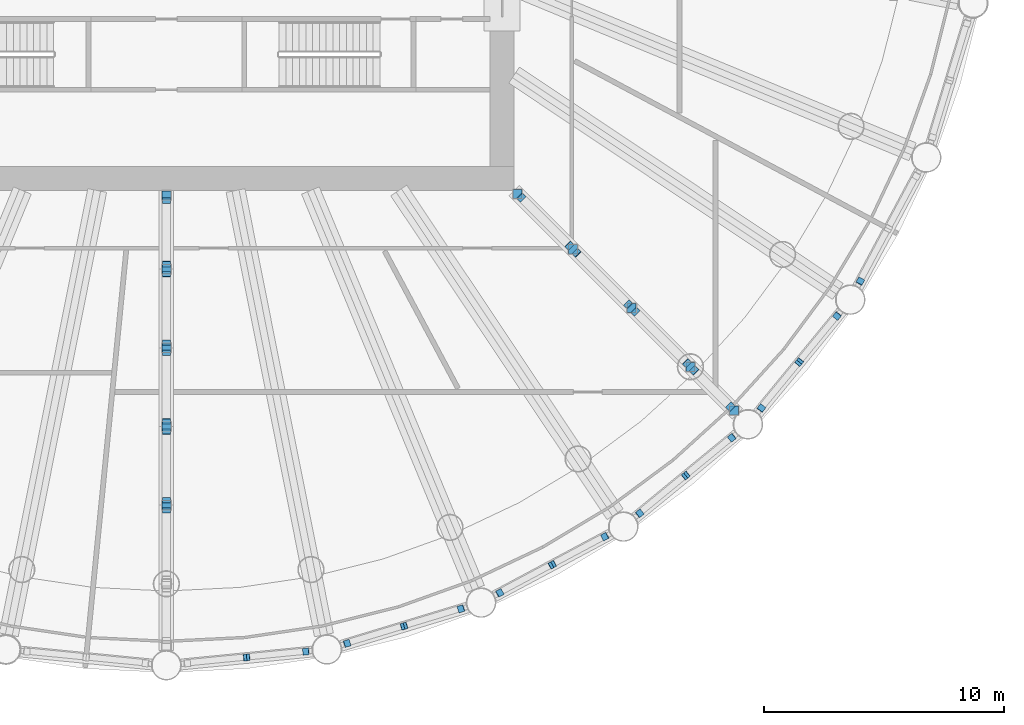
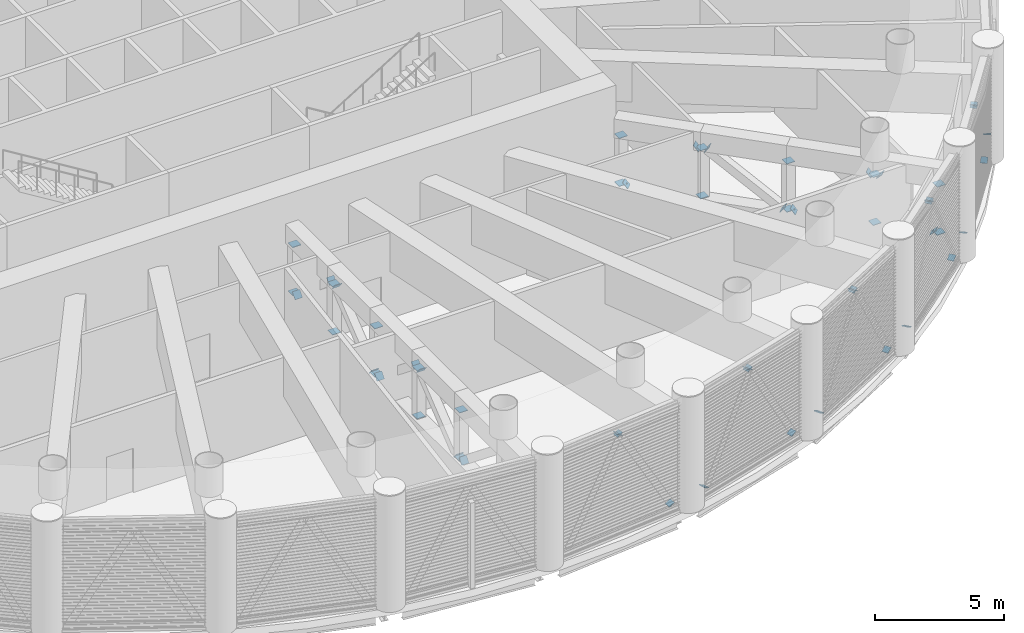
# One storey, part 17 of 29: 57 discrete accessories.
"""IFC4 building model written with IfcOpenShell, lengths in metres."""

from ifc_helpers import new_model, si_unit, direction, frame, origin, origin_2d, place, context, subcontext, project, spatial, rectangle, extrude, material, material_profile, profile_set, type_object, element, save


model = new_model("IFC4")

# Units and contexts
model_context = context("Model", 3, precision=1e-05, world=origin(), true_north=direction((0.0, 1.0)))
body_context = subcontext(model_context, "Body", "Model", "MODEL_VIEW")
ifc_project = project(units=[si_unit("LENGTHUNIT", "METRE"), si_unit("AREAUNIT", "SQUARE_METRE"), si_unit("VOLUMEUNIT", "CUBIC_METRE"), si_unit("PLANEANGLEUNIT", "RADIAN"), si_unit("MASSUNIT", "GRAM", prefix="KILO")], contexts=[model_context])

# Site, building, storey
site_placement = place(None, origin())
site = spatial("IfcSite", under=ifc_project, at=site_placement, CompositionType="ELEMENT")
building_placement = place(site_placement, origin())
building = spatial("IfcBuilding", under=site, at=building_placement, Name="Corvane Civic Tower", CompositionType="ELEMENT")
storey_placement = place(building_placement, frame((0.0, 0.0, 138.5)))
storey = spatial("IfcBuildingStorey", under=building, at=storey_placement, Name="L32", CompositionType="ELEMENT", Elevation=138.5)

# Discrete accessories
ifc_material_1 = material(Name="Steel ASTM A572 Gr 50", Category="steel")
ifc_material_profile_1 = material_profile(ifc_material_1, rectangle(XDim=0.2802734375, YDim=0.2802734375, at=origin_2d()), Name="GUSSET PLATE 25 IN HSS12X12X1/2")
ifc_profile_set_1 = profile_set([ifc_material_profile_1], Name="Steel ASTM A572 Gr 50")
discrete_accessory_type_1 = type_object("IfcDiscreteAccessoryType", Name="GUSSET PLATE 25 IN HSS12X12X1/2", PredefinedType="BRACKET", material=ifc_profile_set_1)
for number, where, z_axis, x_axis, name in (
    (1, (28.931640625, -18.284423828125, 0.406494140625), (0.2359641329, 0.442432749188, 0.865201820635), (-0.882352941176, 0.470588235294, 0.0), "Gusset plate BD1 end A"),
    (2, (27.964111328125, -19.732421875, 0.406494140625), (-0.314269680527, -0.392837100659, 0.86424162145), (0.780868809443, -0.624695047554, 0.0), "Gusset plate BD1 end A"),
):
    element("IfcDiscreteAccessory", number, at=place(storey_placement, frame(where, z_axis=z_axis, x_axis=x_axis)), inside=storey, type_object=discrete_accessory_type_1, Name=name, PredefinedType="BRACKET", context=body_context, shape_type="SweptSolid", body=[
        extrude(rectangle(XDim=0.2802734375, YDim=0.2802734375, at=origin_2d()), origin(), (0.0, 0.0, 1.0), 0.02490234375),
    ])
discrete_accessory_1_placement = place(storey_placement, frame((26.386474609375, -21.655029296875, 4.74365234375), z_axis=(0.311620978032, 0.38952622254, -0.866695845152), x_axis=(-0.780868809443, 0.624695047554, 0.0)))
element("IfcDiscreteAccessory", 3, at=discrete_accessory_1_placement, inside=storey, type_object=discrete_accessory_type_1, Name="Gusset plate BD1 end B", PredefinedType="BRACKET", context=body_context, shape_type="SweptSolid", body=[
    extrude(rectangle(XDim=0.2802734375, YDim=0.2802734375, at=origin_2d()), origin(), (0.0, 0.0, 1.0), 0.025146484375),
])
for number, where, z_axis, x_axis, name in (
    (4, (24.808837890625, -23.577392578125, 0.406494140625), (0.314269680527, 0.392837100659, 0.86424162145), (-0.780868809443, 0.624695047554, 0.0), "Gusset plate BD1 end A"),
    (5, (26.386474609375, -21.655029296875, 4.74365234375), (-0.312794863755, -0.381218740201, -0.869960714819), (0.773073370483, -0.634316611678, 0.0), "Gusset plate BD1 end B"),
    (6, (23.577392578125, -24.808837890625, 0.406494140625), (-0.392837100659, -0.314269680527, 0.86424162145), (0.624695047554, -0.780868809443, 0.0), "Gusset plate BD1 end A"),
    (7, (21.655029296875, -26.386474609375, 4.74365234375), (0.381218740201, 0.312794863755, -0.869960714819), (-0.634316611678, 0.773073370483, 0.0), "Gusset plate BD1 end B"),
    (8, (19.732421875, -27.964111328125, 0.406494140625), (0.392837100659, 0.314269680527, 0.86424162145), (-0.624695047554, 0.780868809443, 0.0), "Gusset plate BD1 end A"),
):
    element("IfcDiscreteAccessory", number, at=place(storey_placement, frame(where, z_axis=z_axis, x_axis=x_axis)), inside=storey, type_object=discrete_accessory_type_1, Name=name, PredefinedType="BRACKET", context=body_context, shape_type="SweptSolid", body=[
        extrude(rectangle(XDim=0.2802734375, YDim=0.2802734375, at=origin_2d()), origin(), (0.0, 0.0, 1.0), 0.02490234375),
    ])
discrete_accessory_2_placement = place(storey_placement, frame((21.655029296875, -26.386474609375, 4.74365234375), z_axis=(-0.38952622254, -0.311620978032, -0.866695845152), x_axis=(0.624695047554, -0.780868809443, 0.0)))
element("IfcDiscreteAccessory", 9, at=discrete_accessory_2_placement, inside=storey, type_object=discrete_accessory_type_1, Name="Gusset plate BD1 end B", PredefinedType="BRACKET", context=body_context, shape_type="SweptSolid", body=[
    extrude(rectangle(XDim=0.2802734375, YDim=0.2802734375, at=origin_2d()), origin(), (0.0, 0.0, 1.0), 0.025146484375),
])
discrete_accessory_3_placement = place(storey_placement, frame((18.284423828125, -28.931640625, 0.406494140625), z_axis=(-0.442432749188, -0.2359641329, 0.865201820635), x_axis=(0.470588235294, -0.882352941176, 0.0)))
element("IfcDiscreteAccessory", 10, at=discrete_accessory_3_placement, inside=storey, type_object=discrete_accessory_type_1, Name="Gusset plate BD1 end A", PredefinedType="BRACKET", context=body_context, shape_type="SweptSolid", body=[
    extrude(rectangle(XDim=0.2802734375, YDim=0.2802734375, at=origin_2d()), origin(), (0.0, 0.0, 1.0), 0.02490234375),
])
discrete_accessory_4_placement = place(storey_placement, frame((16.091064453125, -30.104248046875, 4.74365234375), z_axis=(0.438695687352, 0.233971033255, -0.867642581652), x_axis=(-0.470588235294, 0.882352941176, 0.0)))
element("IfcDiscreteAccessory", 11, at=discrete_accessory_4_placement, inside=storey, type_object=discrete_accessory_type_1, Name="Gusset plate BD1 end B", PredefinedType="BRACKET", context=body_context, shape_type="SweptSolid", body=[
    extrude(rectangle(XDim=0.2802734375, YDim=0.2802734375, at=origin_2d()), origin(), (0.0, 0.0, 1.0), 0.025146484375),
])
discrete_accessory_5_placement = place(storey_placement, frame((13.897705078125, -31.276611328125, 0.406494140625), z_axis=(0.442432749188, 0.2359641329, 0.865201820635), x_axis=(-0.470588235294, 0.882352941176, 0.0)))
element("IfcDiscreteAccessory", 12, at=discrete_accessory_5_placement, inside=storey, type_object=discrete_accessory_type_1, Name="Gusset plate BD1 end A", PredefinedType="BRACKET", context=body_context, shape_type="SweptSolid", body=[
    extrude(rectangle(XDim=0.2802734375, YDim=0.2802734375, at=origin_2d()), origin(), (0.0, 0.0, 1.0), 0.02490234375),
])
discrete_accessory_6_placement = place(storey_placement, frame((16.091064453125, -30.104248046875, 4.74365234375), z_axis=(-0.438695687352, -0.233971033255, -0.867642581652), x_axis=(0.470588235294, -0.882352941176, 0.0)))
element("IfcDiscreteAccessory", 13, at=discrete_accessory_6_placement, inside=storey, type_object=discrete_accessory_type_1, Name="Gusset plate BD1 end B", PredefinedType="BRACKET", context=body_context, shape_type="SweptSolid", body=[
    extrude(rectangle(XDim=0.2802734375, YDim=0.2802734375, at=origin_2d()), origin(), (0.0, 0.0, 1.0), 0.025146484375),
])
discrete_accessory_7_placement = place(storey_placement, frame((12.28857421875, -31.94287109375, 0.406494140625), z_axis=(-0.473579171394, -0.147993491061, 0.868228480888), x_axis=(0.298274993136, -0.954479978035, 0.0)))
element("IfcDiscreteAccessory", 14, at=discrete_accessory_7_placement, inside=storey, type_object=discrete_accessory_type_1, Name="Gusset plate BD1 end A", PredefinedType="BRACKET", context=body_context, shape_type="SweptSolid", body=[
    extrude(rectangle(XDim=0.2802734375, YDim=0.2802734375, at=origin_2d()), origin(), (0.0, 0.0, 1.0), 0.024658203125),
])
discrete_accessory_8_placement = place(storey_placement, frame((9.90869140625, -32.6650390625, 4.74365234375), z_axis=(0.477124378254, 0.146058483139, -0.866613666624), x_axis=(-0.292714272094, 0.956199955507, 0.0)))
element("IfcDiscreteAccessory", 15, at=discrete_accessory_8_placement, inside=storey, type_object=discrete_accessory_type_1, Name="Gusset plate BD1 end B", PredefinedType="BRACKET", context=body_context, shape_type="SweptSolid", body=[
    extrude(rectangle(XDim=0.2802734375, YDim=0.2802734375, at=origin_2d()), origin(), (0.0, 0.0, 1.0), 0.025146484375),
])
discrete_accessory_9_placement = place(storey_placement, frame((7.529052734375, -33.386962890625, 0.406494140625), z_axis=(0.473579171394, 0.147993491061, 0.868228480888), x_axis=(-0.298274993136, 0.954479978035, 0.0)))
element("IfcDiscreteAccessory", 16, at=discrete_accessory_9_placement, inside=storey, type_object=discrete_accessory_type_1, Name="Gusset plate BD1 end A", PredefinedType="BRACKET", context=body_context, shape_type="SweptSolid", body=[
    extrude(rectangle(XDim=0.2802734375, YDim=0.2802734375, at=origin_2d()), origin(), (0.0, 0.0, 1.0), 0.024658203125),
])
discrete_accessory_10_placement = place(storey_placement, frame((9.90869140625, -32.6650390625, 4.74365234375), z_axis=(-0.470204238302, -0.137142902838, -0.871837025185), x_axis=(0.28, -0.96, 0.0)))
element("IfcDiscreteAccessory", 17, at=discrete_accessory_10_placement, inside=storey, type_object=discrete_accessory_type_1, Name="Gusset plate BD1 end B", PredefinedType="BRACKET", context=body_context, shape_type="SweptSolid", body=[
    extrude(rectangle(XDim=0.2802734375, YDim=0.2802734375, at=origin_2d()), origin(), (0.0, 0.0, 1.0), 0.02490234375),
])
discrete_accessory_11_placement = place(storey_placement, frame((5.82080078125, -33.7265625, 0.406494140625), z_axis=(-0.493407705348, -0.049340770535, 0.868397561412), x_axis=(0.099503719021, -0.99503719021, 0.0)))
element("IfcDiscreteAccessory", 18, at=discrete_accessory_11_placement, inside=storey, type_object=discrete_accessory_type_1, Name="Gusset plate BD1 end A", PredefinedType="BRACKET", context=body_context, shape_type="SweptSolid", body=[
    extrude(rectangle(XDim=0.2802734375, YDim=0.2802734375, at=origin_2d()), origin(), (0.0, 0.0, 1.0), 0.024658203125),
])
discrete_accessory_12_placement = place(storey_placement, frame((3.345947265625, -33.970458984375, 4.74365234375), z_axis=(0.489209625642, 0.048920962564, -0.870793133643), x_axis=(-0.099503719021, 0.99503719021, 0.0)))
element("IfcDiscreteAccessory", 19, at=discrete_accessory_12_placement, inside=storey, type_object=discrete_accessory_type_1, Name="Gusset plate BD1 end B", PredefinedType="BRACKET", context=body_context, shape_type="SweptSolid", body=[
    extrude(rectangle(XDim=0.2802734375, YDim=0.2802734375, at=origin_2d()), origin(), (0.0, 0.0, 1.0), 0.02490234375),
])
discrete_accessory_13_placement = place(storey_placement, frame((3.345947265625, -33.970458984375, 4.74365234375), z_axis=(-0.496598842672, -0.048686161046, -0.866613666624), x_axis=(0.097571424031, -0.99522852512, 0.0)))
element("IfcDiscreteAccessory", 20, at=discrete_accessory_13_placement, inside=storey, type_object=discrete_accessory_type_1, Name="Gusset plate BD1 end B", PredefinedType="BRACKET", context=body_context, shape_type="SweptSolid", body=[
    extrude(rectangle(XDim=0.2802734375, YDim=0.2802734375, at=origin_2d()), origin(), (0.0, 0.0, 1.0), 0.025146484375),
])
ifc_material_2 = material(Name="Steel ASTM A572 Gr 50", Category="steel")
ifc_material_profile_2 = material_profile(ifc_material_2, rectangle(XDim=0.3310546875, YDim=0.3310546875, at=origin_2d()), Name="GUSSET PLATE 25 IN HSS14X14X1/2")
ifc_profile_set_2 = profile_set([ifc_material_profile_2], Name="Steel ASTM A572 Gr 50")
discrete_accessory_type_2 = type_object("IfcDiscreteAccessoryType", Name="GUSSET PLATE 25 IN HSS14X14X1/2", PredefinedType="BRACKET", material=ifc_profile_set_2)
for number, where, z_axis, x_axis, name in (
    (21, (14.787353515625, -14.787353515625, 0.89990234375), (0.546582129591, -0.546582129591, 0.634425686132), (0.707106781187, 0.707106781187, 0.0), "Gusset plate OD1 end A"),
    (22, (16.80615234375, -16.80615234375, 3.199951171875), (-0.549971940923, 0.549971940923, -0.628539361055), (-0.707106781187, -0.707106781187, 0.0), "Gusset plate OD1 end B"),
    (23, (17.093505859375, -17.093505859375, 3.199951171875), (0.567401695188, -0.567401695188, -0.596750058732), (0.707106781187, 0.707106781187, 0.0), "Gusset plate OD1 end A"),
):
    element("IfcDiscreteAccessory", number, at=place(storey_placement, frame(where, z_axis=z_axis, x_axis=x_axis)), inside=storey, type_object=discrete_accessory_type_2, Name=name, PredefinedType="BRACKET", context=body_context, shape_type="SweptSolid", body=[
        extrude(rectangle(XDim=0.3310546875, YDim=0.3310546875, at=origin_2d()), origin(), (0.0, 0.0, 1.0), 0.02490234375),
    ])
for number, where, z_axis, x_axis, name in (
    (24, (19.256103515625, -19.256103515625, 0.89990234375), (-0.564091319087, 0.564091319087, 0.602994168679), (-0.707106781187, -0.707106781187, 0.0), "Gusset plate OD1 end B"),
    (25, (19.54345703125, -19.54345703125, 0.89990234375), (0.564091319087, -0.564091319087, 0.602994168679), (0.707106781187, 0.707106781187, 0.0), "Gusset plate OD1 end A"),
):
    element("IfcDiscreteAccessory", number, at=place(storey_placement, frame(where, z_axis=z_axis, x_axis=x_axis)), inside=storey, type_object=discrete_accessory_type_2, Name=name, PredefinedType="BRACKET", context=body_context, shape_type="SweptSolid", body=[
        extrude(rectangle(XDim=0.3310546875, YDim=0.3310546875, at=origin_2d()), origin(), (0.0, 0.0, 1.0), 0.025146484375),
    ])
discrete_accessory_14_placement = place(storey_placement, frame((21.705810546875, -21.705810546875, 3.199951171875), z_axis=(-0.563859180868, 0.563859180868, -0.603428246192), x_axis=(-0.707106781187, -0.707106781187, 0.0)))
element("IfcDiscreteAccessory", 26, at=discrete_accessory_14_placement, inside=storey, type_object=discrete_accessory_type_2, Name="Gusset plate OD1 end B", PredefinedType="BRACKET", context=body_context, shape_type="SweptSolid", body=[
    extrude(rectangle(XDim=0.3310546875, YDim=0.3310546875, at=origin_2d()), origin(), (0.0, 0.0, 1.0), 0.024658203125),
])
for number, where, z_axis, x_axis, name in (
    (27, (21.9931640625, -21.9931640625, 3.199951171875), (0.488508651467, -0.488508651467, -0.722992804171), (0.707106781187, 0.707106781187, 0.0), "Gusset plate OD1 end A"),
    (28, (23.5244140625, -23.5244140625, 0.89990234375), (-0.479862037013, 0.479862037013, 0.734482709713), (-0.707106781187, -0.707106781187, 0.0), "Gusset plate OD1 end B"),
    (29, (0.0, -14.906494140625, 0.89990234375), (0.0, -0.75439456107, 0.656421241451), (1.0, 0.0, 0.0), "Gusset plate OD1 end A"),
):
    element("IfcDiscreteAccessory", number, at=place(storey_placement, frame(where, z_axis=z_axis, x_axis=x_axis)), inside=storey, type_object=discrete_accessory_type_2, Name=name, PredefinedType="BRACKET", context=body_context, shape_type="SweptSolid", body=[
        extrude(rectangle(XDim=0.3310546875, YDim=0.3310546875, at=origin_2d()), origin(), (0.0, 0.0, 1.0), 0.02490234375),
    ])
discrete_accessory_15_placement = place(storey_placement, frame((0.0, -17.576904296875, 3.199951171875), z_axis=(0.0, 0.75856969154, -0.651591914528), x_axis=(-1.0, 0.0, 0.0)))
element("IfcDiscreteAccessory", 30, at=discrete_accessory_15_placement, inside=storey, type_object=discrete_accessory_type_2, Name="Gusset plate OD1 end B", PredefinedType="BRACKET", context=body_context, shape_type="SweptSolid", body=[
    extrude(rectangle(XDim=0.3310546875, YDim=0.3310546875, at=origin_2d()), origin(), (0.0, 0.0, 1.0), 0.025146484375),
])
for number, where, z_axis, x_axis, name in (
    (31, (0.0, -17.983154296875, 3.199951171875), (0.0, -0.780868809443, -0.624695047554), (1.0, 0.0, 0.0), "Gusset plate OD1 end A"),
    (32, (0.0, -20.856689453125, 0.89990234375), (0.0, 0.780868809443, 0.624695047554), (-1.0, 0.0, 0.0), "Gusset plate OD1 end B"),
    (33, (0.0, -21.26318359375, 0.89990234375), (0.0, -0.780868809443, 0.624695047554), (1.0, 0.0, 0.0), "Gusset plate OD1 end A"),
    (34, (0.0, -24.13671875, 3.199951171875), (0.0, 0.780868809443, -0.624695047554), (-1.0, 0.0, 0.0), "Gusset plate OD1 end B"),
    (35, (0.0, -24.543212890625, 3.199951171875), (0.0, -0.780868809443, -0.624695047554), (1.0, 0.0, 0.0), "Gusset plate OD1 end A"),
    (36, (0.0, -27.416748046875, 0.89990234375), (0.0, 0.780868809443, 0.624695047554), (-1.0, 0.0, 0.0), "Gusset plate OD1 end B"),
    (37, (0.0, -27.8232421875, 0.89990234375), (0.0, -0.780868809443, 0.624695047554), (1.0, 0.0, 0.0), "Gusset plate OD1 end A"),
):
    element("IfcDiscreteAccessory", number, at=place(storey_placement, frame(where, z_axis=z_axis, x_axis=x_axis)), inside=storey, type_object=discrete_accessory_type_2, Name=name, PredefinedType="BRACKET", context=body_context, shape_type="SweptSolid", body=[
        extrude(rectangle(XDim=0.3310546875, YDim=0.3310546875, at=origin_2d()), origin(), (0.0, 0.0, 1.0), 0.02490234375),
    ])
ifc_material_3 = material(Name="Steel ASTM A572 Gr 50", Category="steel")
ifc_material_profile_3 = material_profile(ifc_material_3, rectangle(XDim=0.3759765625, YDim=0.3759765625, at=origin_2d()), Name="GUSSET PLATE 25 IN HSS16X16X5/8")
ifc_profile_set_3 = profile_set([ifc_material_profile_3], Name="Steel ASTM A572 Gr 50")
discrete_accessory_type_3 = type_object("IfcDiscreteAccessoryType", Name="GUSSET PLATE 25 IN HSS16X16X5/8", PredefinedType="BRACKET", material=ifc_profile_set_3)
discrete_accessory_16_placement = place(storey_placement, frame((14.643798828125, -14.643798828125, 0.89990234375), z_axis=(0.0, 0.0, 1.0), x_axis=(1.0, 0.0, 0.0)))
element("IfcDiscreteAccessory", 38, at=discrete_accessory_16_placement, inside=storey, type_object=discrete_accessory_type_3, Name="Gusset plate OP1 end A", PredefinedType="BRACKET", context=body_context, shape_type="SweptSolid", body=[
    extrude(rectangle(XDim=0.3759765625, YDim=0.3759765625, at=origin_2d()), origin(), (0.0, 0.0, 1.0), 0.025146484375),
])
discrete_accessory_17_placement = place(storey_placement, frame((14.643798828125, -14.643798828125, 3.199951171875), z_axis=(0.0, 0.0, -1.0), x_axis=(1.0, 0.0, 0.0)))
element("IfcDiscreteAccessory", 39, at=discrete_accessory_17_placement, inside=storey, type_object=discrete_accessory_type_3, Name="Gusset plate OP1 end B", PredefinedType="BRACKET", context=body_context, shape_type="SweptSolid", body=[
    extrude(rectangle(XDim=0.3759765625, YDim=0.3759765625, at=origin_2d()), origin(), (0.0, 0.0, 1.0), 0.02490234375),
])
discrete_accessory_18_placement = place(storey_placement, frame((16.949951171875, -16.949951171875, 0.89990234375), z_axis=(0.0, 0.0, 1.0), x_axis=(1.0, 0.0, 0.0)))
element("IfcDiscreteAccessory", 40, at=discrete_accessory_18_placement, inside=storey, type_object=discrete_accessory_type_3, Name="Gusset plate OP1 end A", PredefinedType="BRACKET", context=body_context, shape_type="SweptSolid", body=[
    extrude(rectangle(XDim=0.3759765625, YDim=0.3759765625, at=origin_2d()), origin(), (0.0, 0.0, 1.0), 0.025146484375),
])
discrete_accessory_19_placement = place(storey_placement, frame((16.949951171875, -16.949951171875, 3.199951171875), z_axis=(0.0, 0.0, -1.0), x_axis=(1.0, 0.0, 0.0)))
element("IfcDiscreteAccessory", 41, at=discrete_accessory_19_placement, inside=storey, type_object=discrete_accessory_type_3, Name="Gusset plate OP1 end B", PredefinedType="BRACKET", context=body_context, shape_type="SweptSolid", body=[
    extrude(rectangle(XDim=0.3759765625, YDim=0.3759765625, at=origin_2d()), origin(), (0.0, 0.0, 1.0), 0.02490234375),
])
discrete_accessory_20_placement = place(storey_placement, frame((19.399658203125, -19.399658203125, 0.89990234375), z_axis=(0.0, 0.0, 1.0), x_axis=(1.0, 0.0, 0.0)))
element("IfcDiscreteAccessory", 42, at=discrete_accessory_20_placement, inside=storey, type_object=discrete_accessory_type_3, Name="Gusset plate OP1 end A", PredefinedType="BRACKET", context=body_context, shape_type="SweptSolid", body=[
    extrude(rectangle(XDim=0.3759765625, YDim=0.3759765625, at=origin_2d()), origin(), (0.0, 0.0, 1.0), 0.025146484375),
])
discrete_accessory_21_placement = place(storey_placement, frame((19.399658203125, -19.399658203125, 3.199951171875), z_axis=(0.0, 0.0, -1.0), x_axis=(1.0, 0.0, 0.0)))
element("IfcDiscreteAccessory", 43, at=discrete_accessory_21_placement, inside=storey, type_object=discrete_accessory_type_3, Name="Gusset plate OP1 end B", PredefinedType="BRACKET", context=body_context, shape_type="SweptSolid", body=[
    extrude(rectangle(XDim=0.3759765625, YDim=0.3759765625, at=origin_2d()), origin(), (0.0, 0.0, 1.0), 0.02490234375),
])
discrete_accessory_22_placement = place(storey_placement, frame((21.849609375, -21.849609375, 0.89990234375), z_axis=(0.0, 0.0, 1.0), x_axis=(1.0, 0.0, 0.0)))
element("IfcDiscreteAccessory", 44, at=discrete_accessory_22_placement, inside=storey, type_object=discrete_accessory_type_3, Name="Gusset plate OP1 end A", PredefinedType="BRACKET", context=body_context, shape_type="SweptSolid", body=[
    extrude(rectangle(XDim=0.3759765625, YDim=0.3759765625, at=origin_2d()), origin(), (0.0, 0.0, 1.0), 0.025146484375),
])
discrete_accessory_23_placement = place(storey_placement, frame((21.849609375, -21.849609375, 3.199951171875), z_axis=(0.0, 0.0, -1.0), x_axis=(1.0, 0.0, 0.0)))
element("IfcDiscreteAccessory", 45, at=discrete_accessory_23_placement, inside=storey, type_object=discrete_accessory_type_3, Name="Gusset plate OP1 end B", PredefinedType="BRACKET", context=body_context, shape_type="SweptSolid", body=[
    extrude(rectangle(XDim=0.3759765625, YDim=0.3759765625, at=origin_2d()), origin(), (0.0, 0.0, 1.0), 0.02490234375),
])
discrete_accessory_24_placement = place(storey_placement, frame((23.668212890625, -23.668212890625, 0.89990234375), z_axis=(0.0, 0.0, 1.0), x_axis=(1.0, 0.0, 0.0)))
element("IfcDiscreteAccessory", 46, at=discrete_accessory_24_placement, inside=storey, type_object=discrete_accessory_type_3, Name="Gusset plate OP1 end A", PredefinedType="BRACKET", context=body_context, shape_type="SweptSolid", body=[
    extrude(rectangle(XDim=0.3759765625, YDim=0.3759765625, at=origin_2d()), origin(), (0.0, 0.0, 1.0), 0.025146484375),
])
discrete_accessory_25_placement = place(storey_placement, frame((23.668212890625, -23.668212890625, 3.199951171875), z_axis=(0.0, 0.0, -1.0), x_axis=(1.0, 0.0, 0.0)))
element("IfcDiscreteAccessory", 47, at=discrete_accessory_25_placement, inside=storey, type_object=discrete_accessory_type_3, Name="Gusset plate OP1 end B", PredefinedType="BRACKET", context=body_context, shape_type="SweptSolid", body=[
    extrude(rectangle(XDim=0.3759765625, YDim=0.3759765625, at=origin_2d()), origin(), (0.0, 0.0, 1.0), 0.02490234375),
])
discrete_accessory_26_placement = place(storey_placement, frame((0.0, -14.703125, 0.89990234375), z_axis=(0.0, 0.0, 1.0), x_axis=(1.0, 0.0, 0.0)))
element("IfcDiscreteAccessory", 48, at=discrete_accessory_26_placement, inside=storey, type_object=discrete_accessory_type_3, Name="Gusset plate OP1 end A", PredefinedType="BRACKET", context=body_context, shape_type="SweptSolid", body=[
    extrude(rectangle(XDim=0.3759765625, YDim=0.3759765625, at=origin_2d()), origin(), (0.0, 0.0, 1.0), 0.025146484375),
])
discrete_accessory_27_placement = place(storey_placement, frame((0.0, -14.703125, 3.199951171875), z_axis=(0.0, 0.0, -1.0), x_axis=(1.0, 0.0, 0.0)))
element("IfcDiscreteAccessory", 49, at=discrete_accessory_27_placement, inside=storey, type_object=discrete_accessory_type_3, Name="Gusset plate OP1 end B", PredefinedType="BRACKET", context=body_context, shape_type="SweptSolid", body=[
    extrude(rectangle(XDim=0.3759765625, YDim=0.3759765625, at=origin_2d()), origin(), (0.0, 0.0, 1.0), 0.02490234375),
])
discrete_accessory_28_placement = place(storey_placement, frame((0.0, -17.780029296875, 0.89990234375), z_axis=(0.0, 0.0, 1.0), x_axis=(1.0, 0.0, 0.0)))
element("IfcDiscreteAccessory", 50, at=discrete_accessory_28_placement, inside=storey, type_object=discrete_accessory_type_3, Name="Gusset plate OP1 end A", PredefinedType="BRACKET", context=body_context, shape_type="SweptSolid", body=[
    extrude(rectangle(XDim=0.3759765625, YDim=0.3759765625, at=origin_2d()), origin(), (0.0, 0.0, 1.0), 0.025146484375),
])
discrete_accessory_29_placement = place(storey_placement, frame((0.0, -17.780029296875, 3.199951171875), z_axis=(0.0, 0.0, -1.0), x_axis=(1.0, 0.0, 0.0)))
element("IfcDiscreteAccessory", 51, at=discrete_accessory_29_placement, inside=storey, type_object=discrete_accessory_type_3, Name="Gusset plate OP1 end B", PredefinedType="BRACKET", context=body_context, shape_type="SweptSolid", body=[
    extrude(rectangle(XDim=0.3759765625, YDim=0.3759765625, at=origin_2d()), origin(), (0.0, 0.0, 1.0), 0.02490234375),
])
discrete_accessory_30_placement = place(storey_placement, frame((0.0, -21.06005859375, 0.89990234375), z_axis=(0.0, 0.0, 1.0), x_axis=(1.0, 0.0, 0.0)))
element("IfcDiscreteAccessory", 52, at=discrete_accessory_30_placement, inside=storey, type_object=discrete_accessory_type_3, Name="Gusset plate OP1 end A", PredefinedType="BRACKET", context=body_context, shape_type="SweptSolid", body=[
    extrude(rectangle(XDim=0.3759765625, YDim=0.3759765625, at=origin_2d()), origin(), (0.0, 0.0, 1.0), 0.025146484375),
])
discrete_accessory_31_placement = place(storey_placement, frame((0.0, -21.06005859375, 3.199951171875), z_axis=(0.0, 0.0, -1.0), x_axis=(1.0, 0.0, 0.0)))
element("IfcDiscreteAccessory", 53, at=discrete_accessory_31_placement, inside=storey, type_object=discrete_accessory_type_3, Name="Gusset plate OP1 end B", PredefinedType="BRACKET", context=body_context, shape_type="SweptSolid", body=[
    extrude(rectangle(XDim=0.3759765625, YDim=0.3759765625, at=origin_2d()), origin(), (0.0, 0.0, 1.0), 0.02490234375),
])
discrete_accessory_32_placement = place(storey_placement, frame((0.0, -24.340087890625, 0.89990234375), z_axis=(0.0, 0.0, 1.0), x_axis=(1.0, 0.0, 0.0)))
element("IfcDiscreteAccessory", 54, at=discrete_accessory_32_placement, inside=storey, type_object=discrete_accessory_type_3, Name="Gusset plate OP1 end A", PredefinedType="BRACKET", context=body_context, shape_type="SweptSolid", body=[
    extrude(rectangle(XDim=0.3759765625, YDim=0.3759765625, at=origin_2d()), origin(), (0.0, 0.0, 1.0), 0.025146484375),
])
discrete_accessory_33_placement = place(storey_placement, frame((0.0, -24.340087890625, 3.199951171875), z_axis=(0.0, 0.0, -1.0), x_axis=(1.0, 0.0, 0.0)))
element("IfcDiscreteAccessory", 55, at=discrete_accessory_33_placement, inside=storey, type_object=discrete_accessory_type_3, Name="Gusset plate OP1 end B", PredefinedType="BRACKET", context=body_context, shape_type="SweptSolid", body=[
    extrude(rectangle(XDim=0.3759765625, YDim=0.3759765625, at=origin_2d()), origin(), (0.0, 0.0, 1.0), 0.02490234375),
])
discrete_accessory_34_placement = place(storey_placement, frame((0.0, -27.6201171875, 0.89990234375), z_axis=(0.0, 0.0, 1.0), x_axis=(1.0, 0.0, 0.0)))
element("IfcDiscreteAccessory", 56, at=discrete_accessory_34_placement, inside=storey, type_object=discrete_accessory_type_3, Name="Gusset plate OP1 end A", PredefinedType="BRACKET", context=body_context, shape_type="SweptSolid", body=[
    extrude(rectangle(XDim=0.3759765625, YDim=0.3759765625, at=origin_2d()), origin(), (0.0, 0.0, 1.0), 0.025146484375),
])
discrete_accessory_35_placement = place(storey_placement, frame((0.0, -27.6201171875, 3.199951171875), z_axis=(0.0, 0.0, -1.0), x_axis=(1.0, 0.0, 0.0)))
element("IfcDiscreteAccessory", 57, at=discrete_accessory_35_placement, inside=storey, type_object=discrete_accessory_type_3, Name="Gusset plate OP1 end B", PredefinedType="BRACKET", context=body_context, shape_type="SweptSolid", body=[
    extrude(rectangle(XDim=0.3759765625, YDim=0.3759765625, at=origin_2d()), origin(), (0.0, 0.0, 1.0), 0.02490234375),
])

save(model, "model.ifc")
